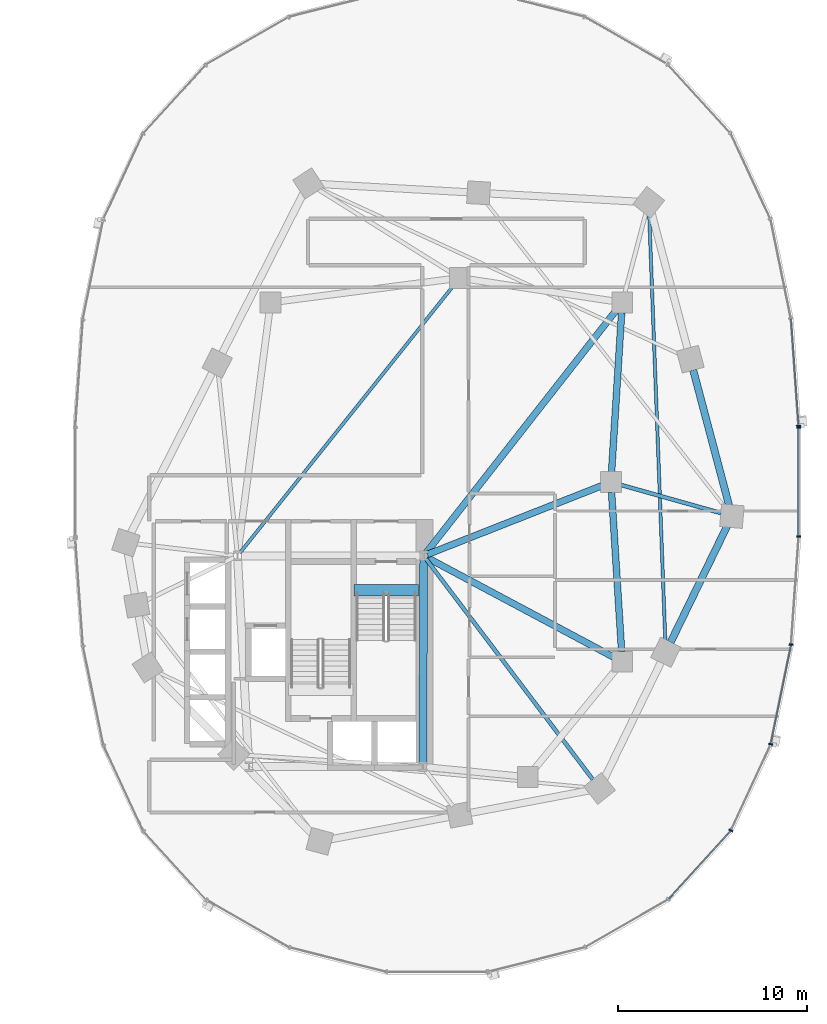
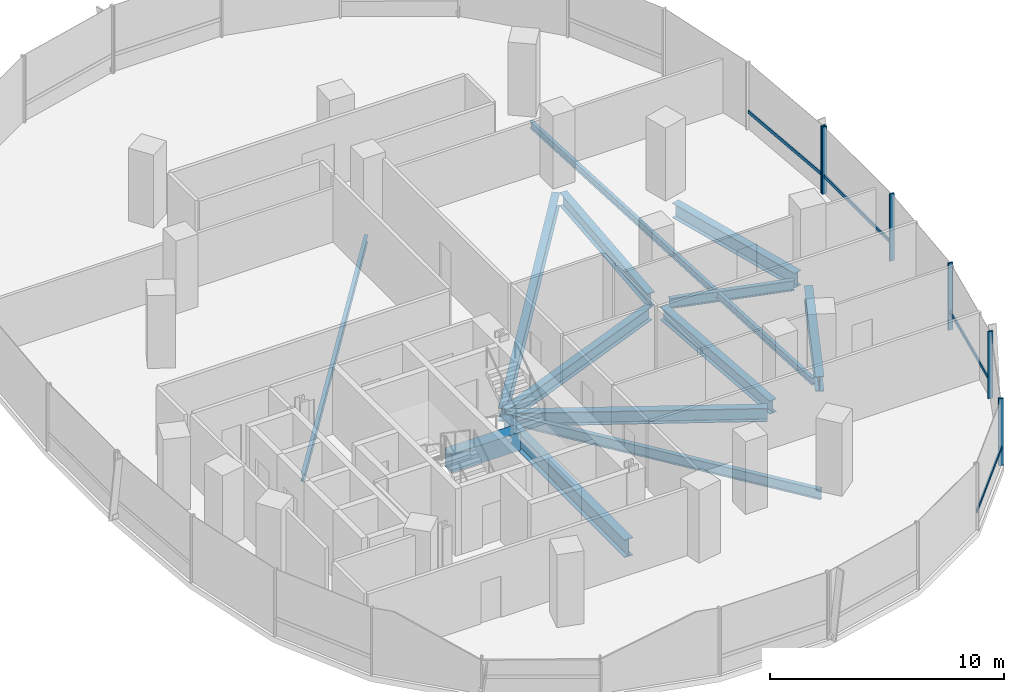
# One storey, part 6 of 21: 13 beams, 10 members, 2 elements without a shape of their own.
"""IFC4 building model written with IfcOpenShell, lengths in metres."""

import ifcopenshell
import ifcopenshell.guid

model = None  # the IFC model being written
_history = None  # IfcOwnerHistory: only IFC2X3 demands one
_inside = {}  # id of a spatial element -> (the spatial element, [elements in it])
_under = {}  # id of a project, library or spatial element -> (it, [spatial elements below it])
_declared = {}  # id of a project -> (the project, [libraries it declares])
_typed = {}  # id of a type object -> (the type object, [elements of that type])
_made_of = {}  # id of a material, layer set ... -> (it, [elements and type objects made of it])


def new_model(schema):
    """Start an empty IFC model of exactly this schema.

    Asked for "IFC4X3", IfcOpenShell would pick the latest addendum, in which some entities
    have other attributes; the version numbers below select the first issue.
    IFC2X3 requires an IfcOwnerHistory on every rooted entity: one is made here for all.
    """
    global model, _history
    if schema == "IFC4X3":
        model = ifcopenshell.file(schema_version=(4, 3, 0, 0))
    else:
        model = ifcopenshell.file(schema=schema)
    _inside.clear()
    _under.clear()
    _declared.clear()
    _typed.clear()
    _made_of.clear()
    _history = None
    if model.schema == "IFC2X3":
        org = make("IfcOrganization", Name="unknown")
        user = make(
            "IfcPersonAndOrganization",
            ThePerson=make("IfcPerson", FamilyName="unknown"),
            TheOrganization=org,
        )
        app = make(
            "IfcApplication",
            ApplicationDeveloper=org,
            Version="unknown",
            ApplicationFullName="unknown",
            ApplicationIdentifier="unknown",
        )
        _history = make(
            "IfcOwnerHistory",
            OwningUser=user,
            OwningApplication=app,
            ChangeAction="ADDED",
            CreationDate=0,
        )
    return model


def make(cls, **values):
    """One entity of the class cls with the attributes given. An attribute that is None is left unset."""
    return model.create_entity(
        cls, **{name: value for name, value in values.items() if value is not None}
    )


def rooted(cls, **values):
    """An entity with a GlobalId (a new one), such as an element, a storey or a relation."""
    return make(cls, GlobalId=ifcopenshell.guid.new(), OwnerHistory=_history, **values)


def si_unit(unit_type, name, prefix=None):
    """IfcSIUnit, for example si_unit("LENGTHUNIT", "METRE", prefix="MILLI")."""
    return make("IfcSIUnit", UnitType=unit_type, Prefix=prefix, Name=name)


def assignment(units):
    """IfcUnitAssignment: the units of a project."""
    return None if units is None else make("IfcUnitAssignment", Units=units)


def point(xyz):
    """IfcCartesianPoint."""
    return None if xyz is None else make("IfcCartesianPoint", Coordinates=xyz)


def direction(xyz):
    """IfcDirection."""
    return None if xyz is None else make("IfcDirection", DirectionRatios=xyz)


def frame(location, z_axis=None, x_axis=None):
    """IfcAxis2Placement3D, a coordinate frame: its origin and axes. An axis left out is left unset."""
    return make(
        "IfcAxis2Placement3D",
        Location=point(location),
        Axis=direction(z_axis),
        RefDirection=direction(x_axis),
    )


def frame_2d(location, x_axis=None):
    """IfcAxis2Placement2D, a coordinate frame in the plane: its origin and x axis."""
    return make(
        "IfcAxis2Placement2D", Location=point(location), RefDirection=direction(x_axis)
    )


def origin():
    """The frame at (0, 0, 0) with its axes left unset."""
    return frame((0.0, 0.0, 0.0))


def origin_2d():
    """The frame at (0, 0) in the plane with its x axis left unset."""
    return frame_2d((0.0, 0.0))


def place(relative_to, where):
    """IfcLocalPlacement: puts the frame where relative to a parent placement (None: the world)."""
    return make(
        "IfcLocalPlacement", PlacementRelTo=relative_to, RelativePlacement=where
    )


def context(
    kind, dimensions, precision=None, world=None, true_north=None, identifier=None
):
    """IfcGeometricRepresentationContext, for example the 3D "Model" context."""
    return make(
        "IfcGeometricRepresentationContext",
        ContextIdentifier=identifier,
        ContextType=kind,
        CoordinateSpaceDimension=dimensions,
        Precision=precision,
        WorldCoordinateSystem=world,
        TrueNorth=true_north,
    )


def subcontext(parent, identifier, kind, view, scale=None):
    """IfcGeometricRepresentationSubContext, for example "Body" below "Model"."""
    return make(
        "IfcGeometricRepresentationSubContext",
        ContextIdentifier=identifier,
        ContextType=kind,
        ParentContext=parent,
        TargetScale=scale,
        TargetView=view,
    )


def project(units=None, contexts=None):
    """IfcProject with its units and contexts."""
    return rooted(
        "IfcProject",
        Name="project",
        RepresentationContexts=contexts,
        UnitsInContext=assignment(units),
    )


def spatial(cls, under=None, at=None, **own):
    """A site, building, storey or space (cls), placed at a placement, below another one or the project."""
    s = rooted(cls, ObjectPlacement=at, **own)
    if under is not None:
        _under.setdefault(under.id(), (under, []))[1].append(s)
    return s


def profile(cls, at=None, kind="AREA", **sizes):
    """A parametric profile (cls). Its sizes go by their IFC names, for example OverallWidth=200.0."""
    return make(cls, ProfileType=kind, Position=at, **sizes)


def rectangle(**sizes):
    """IfcRectangleProfileDef."""
    return profile("IfcRectangleProfileDef", **sizes)


def i_section(**sizes):
    """IfcIShapeProfileDef."""
    return profile("IfcIShapeProfileDef", **sizes)


def extrude(swept, where, along, depth):
    """IfcExtrudedAreaSolid: the profile swept, set in the frame where, extruded along a direction by depth."""
    return make(
        "IfcExtrudedAreaSolid",
        SweptArea=swept,
        Position=where,
        ExtrudedDirection=direction(along),
        Depth=depth,
    )


def shape(context_of_items, identifier, shape_type, items):
    """IfcShapeRepresentation: the items that make up one representation, for example the "Body"."""
    return make(
        "IfcShapeRepresentation",
        ContextOfItems=context_of_items,
        RepresentationIdentifier=identifier,
        RepresentationType=shape_type,
        Items=items,
    )


def material(Name=None, Category=None):
    """IfcMaterial."""
    return make("IfcMaterial", Name=Name, Category=Category)


def material_profile(
    of_material, cross_section, Name=None, Category=None, Priority=None
):
    """IfcMaterialProfile: a cross section and its material."""
    return make(
        "IfcMaterialProfile",
        Name=Name,
        Material=of_material,
        Profile=cross_section,
        Priority=Priority,
        Category=Category,
    )


def profile_set(profiles, Name=None, composite=None):
    """IfcMaterialProfileSet."""
    return make(
        "IfcMaterialProfileSet",
        Name=Name,
        MaterialProfiles=profiles,
        CompositeProfile=composite,
    )


def made_of(thing, what):
    """Note that an element or type object is made of a material, layer set ...; save() writes the relation."""
    if what is not None:
        _made_of.setdefault(what.id(), (what, []))[1].append(thing)
    return thing


def type_object(cls, material=None, **own):
    """A type object (cls), such as IfcWallType, which elements share."""
    return made_of(rooted(cls, **own), material)


def element(
    cls,
    number,
    at=None,
    inside=None,
    cuts=None,
    type_object=None,
    material=None,
    context=None,
    identifier="Body",
    shape_type=None,
    held_by="IfcProductDefinitionShape",
    body=None,
    shapes=None,
    **own,
):
    """One element of the class cls, such as IfcWall. Its Tag is "e" and its number.

    at: its placement. inside: the storey or other place that contains it. cuts: it is an
    opening in that element (IfcRelVoidsElement). A single representation is given by context,
    identifier, shape_type and body (its items); several are given by shapes. held_by: the class
    of the entity that holds the representations. save() writes the other relations.
    """
    e = rooted(cls, Tag="e%d" % number, ObjectPlacement=at, **own)
    if body is not None:
        shapes = [shape(context, identifier, shape_type, body)]
    if shapes is not None:
        e.Representation = make(held_by, Representations=shapes)
    if inside is not None:
        _inside.setdefault(inside.id(), (inside, []))[1].append(e)
    if cuts is not None:
        rooted(
            "IfcRelVoidsElement", RelatingBuildingElement=cuts, RelatedOpeningElement=e
        )
    if type_object is not None:
        _typed.setdefault(type_object.id(), (type_object, []))[1].append(e)
    return made_of(e, material)


def aggregate(whole, parts):
    """IfcRelAggregates: a whole, such as a stair, and the parts it consists of."""
    return rooted("IfcRelAggregates", RelatingObject=whole, RelatedObjects=parts)


def save(model, path):
    """Write the relations noted so far, then the file.

    IfcRelAggregates (storeys below a building ...), IfcRelContainedInSpatialStructure (elements
    in a storey), IfcRelDefinesByType, IfcRelAssociatesMaterial and IfcRelDeclares: one each for
    every whole, place, type object, material and project.
    """
    for whole, parts in _under.values():
        aggregate(whole, parts)
    for where, things in _inside.values():
        rooted(
            "IfcRelContainedInSpatialStructure",
            RelatedElements=things,
            RelatingStructure=where,
        )
    for kind, things in _typed.values():
        rooted("IfcRelDefinesByType", RelatedObjects=things, RelatingType=kind)
    for what, things in _made_of.values():
        rooted("IfcRelAssociatesMaterial", RelatedObjects=things, RelatingMaterial=what)
    for by, libraries in _declared.values():
        rooted("IfcRelDeclares", RelatingContext=by, RelatedDefinitions=libraries)
    model.write(path)


model = new_model("IFC4")

# Units and contexts
model_context = context("Model", 3, precision=1e-05, world=origin(), true_north=direction((0.0, 1.0)))
body_context = subcontext(model_context, "Body", "Model", "MODEL_VIEW")
ifc_project = project(units=[si_unit("LENGTHUNIT", "METRE"), si_unit("AREAUNIT", "SQUARE_METRE"), si_unit("VOLUMEUNIT", "CUBIC_METRE"), si_unit("PLANEANGLEUNIT", "RADIAN"), si_unit("MASSUNIT", "GRAM", prefix="KILO"), si_unit("THERMODYNAMICTEMPERATUREUNIT", "KELVIN"), si_unit("POWERUNIT", "WATT")], contexts=[model_context])

# Site, building, storey
site_placement = place(None, origin())
site = spatial("IfcSite", under=ifc_project, at=site_placement, CompositionType="ELEMENT")
building_placement = place(site_placement, origin())
building = spatial("IfcBuilding", under=site, at=building_placement, Name="Cundina Bronze Exchange", CompositionType="ELEMENT")
storey_placement = place(building_placement, frame((0.0, 0.0, 54.39990234375)))
storey = spatial("IfcBuildingStorey", under=building, at=storey_placement, Name="L13", CompositionType="ELEMENT", Elevation=54.39990234375)

# Beams
ifc_material_1 = material(Name="Concrete C60/75", Category="concrete")
ifc_material_profile_1 = material_profile(ifc_material_1, rectangle(XDim=0.60009765625, YDim=0.949951171875, at=origin_2d()), Name="RC600X950", Category="concrete")
ifc_profile_set_1 = profile_set([ifc_material_profile_1], Name="Concrete C60/75")
beam_type_1 = type_object("IfcBeamType", Name="BM-COUP-RC950", PredefinedType="LINTEL", material=ifc_profile_set_1)
beam_1_placement = place(storey_placement, frame((27.6201171875, -5.719970703125, -0.474853515625), z_axis=(1.0, 0.0, 0.0), x_axis=(0.0, 1.0, 0.0)))
element("IfcBeam", 1, at=beam_1_placement, inside=storey, type_object=beam_type_1, Name="L13 Stair E1 Landing Header Beam", PredefinedType="LINTEL", context=body_context, shape_type="SweptSolid", body=[
    extrude(rectangle(XDim=0.60009765625, YDim=0.949951171875, at=origin_2d()), origin(), (0.0, 0.0, 1.0), 3.39990234375),
])
ifc_material_2 = material(Name="Steel ASTM A992 Grade 50", Category="steel")
ifc_material_profile_2 = material_profile(ifc_material_2, i_section(OverallWidth=0.2099609375, OverallDepth=0.532958984375, WebThickness=0.01025390625, FlangeThickness=0.015625, FilletRadius=0.013916015625, at=origin_2d()), Name="W21X62", Category="steel")
ifc_profile_set_2 = profile_set([ifc_material_profile_2], Name="Steel ASTM A992 Grade 50")
beam_type_2 = type_object("IfcBeamType", Name="BM-FLR-W21B", PredefinedType="BEAM", material=ifc_profile_set_2)
beam_2_placement = place(storey_placement, frame((31.423095703125, -4.062744140625, -0.56640625), z_axis=(0.603106461849, -0.797660702101, 0.0), x_axis=(0.797660702101, 0.603106461849, 0.0)))
element("IfcBeam", 2, at=beam_2_placement, inside=storey, type_object=beam_type_2, Name="L13 Leg E Chordal Floor Beam 06", PredefinedType="BEAM", context=body_context, shape_type="SweptSolid", body=[
    extrude(i_section(OverallWidth=0.2099609375, OverallDepth=0.532958984375, WebThickness=0.01025390625, FlangeThickness=0.015625, FilletRadius=0.013916015625, at=origin_2d()), origin(), (0.0, 0.0, 1.0), 14.6279296875),
])
beam_3_placement = place(storey_placement, frame((41.718017578125, -0.145751953125, -0.56640625), z_axis=(0.962650219971, -0.270748137554, 0.0), x_axis=(0.270748137554, 0.962650219971, 0.0)))
element("IfcBeam", 3, at=beam_3_placement, inside=storey, type_object=beam_type_2, Name="L13 Leg E Chordal Floor Beam 08", PredefinedType="BEAM", context=body_context, shape_type="SweptSolid", body=[
    extrude(i_section(OverallWidth=0.2099609375, OverallDepth=0.532958984375, WebThickness=0.01025390625, FlangeThickness=0.015625, FilletRadius=0.013916015625, at=origin_2d()), origin(), (0.0, 0.0, 1.0), 5.522216796875),
])
ifc_material_profile_3 = material_profile(ifc_material_2, i_section(OverallWidth=0.172119140625, OverallDepth=0.35791015625, WebThickness=0.0078125, FlangeThickness=0.01318359375, FilletRadius=0.010009765625, at=origin_2d()), Name="W14X38", Category="steel")
ifc_profile_set_3 = profile_set([ifc_material_profile_3], Name="Steel ASTM A992 Grade 50")
beam_type_3 = type_object("IfcBeamType", Name="BM-JST-W14", PredefinedType="JOIST", material=ifc_profile_set_3)
beam_4_placement = place(storey_placement, frame((21.577392578125, -3.740478515625, -0.47900390625), z_axis=(0.62436887964, 0.781129632095, 0.0), x_axis=(-0.781129632095, 0.62436887964, 0.0)))
element("IfcBeam", 4, at=beam_4_placement, inside=storey, type_object=beam_type_3, Name="L13 E Interior Core-to-Ring Joist 2", PredefinedType="JOIST", context=body_context, shape_type="SweptSolid", body=[
    extrude(i_section(OverallWidth=0.172119140625, OverallDepth=0.35791015625, WebThickness=0.0078125, FlangeThickness=0.01318359375, FilletRadius=0.010009765625, at=origin_2d()), origin(), (0.0, 0.0, 1.0), 18.076904296875),
])
beam_5_placement = place(storey_placement, frame((44.077880859375, -8.412353515625, -0.47900390625), z_axis=(-0.037794949147, 0.999285515666, 0.0), x_axis=(-0.999285515666, -0.037794949147, 0.0)))
element("IfcBeam", 5, at=beam_5_placement, inside=storey, type_object=beam_type_3, Name="L13 Leg E Lobe Floor Joist 07-10", PredefinedType="JOIST", context=body_context, shape_type="SweptSolid", body=[
    extrude(i_section(OverallWidth=0.172119140625, OverallDepth=0.35791015625, WebThickness=0.0078125, FlangeThickness=0.01318359375, FilletRadius=0.010009765625, at=origin_2d()), origin(), (0.0, 0.0, 1.0), 22.640869140625),
])
ifc_material_profile_4 = material_profile(ifc_material_2, i_section(OverallWidth=0.35498046875, OverallDepth=0.695068359375, WebThickness=0.015380859375, FlangeThickness=0.02490234375, FilletRadius=0.01806640625, at=origin_2d()), Name="W27X146", Category="steel")
ifc_profile_set_4 = profile_set([ifc_material_profile_4], Name="Steel ASTM A992 Grade 50")
beam_type_4 = type_object("IfcBeamType", Name="BM-RING-W27", PredefinedType="USERDEFINED", material=ifc_profile_set_4)
for number, where, z_axis, x_axis, name in (
    (6, (41.76611328125, -8.963134765625, -0.6474609375), (-0.06303715519, 0.998011180832, 0.0), (-0.998011180832, -0.06303715519, 0.0), "L13 E Inner Structural Ring Girder 03"),
    (7, (41.23388671875, 0.536865234375, -0.6474609375), (0.06303715519, 0.998011180832, 0.0), (-0.998011180832, 0.06303715519, 0.0), "L13 E Inner Structural Ring Girder 04"),
):
    element("IfcBeam", number, at=place(storey_placement, frame(where, z_axis=z_axis, x_axis=x_axis)), inside=storey, type_object=beam_type_4, Name=name, ObjectType="GIRDER", PredefinedType="USERDEFINED", context=body_context, shape_type="SweptSolid", body=[
        extrude(i_section(OverallWidth=0.35498046875, OverallDepth=0.695068359375, WebThickness=0.015380859375, FlangeThickness=0.02490234375, FilletRadius=0.01806640625, at=origin_2d()), origin(), (0.0, 0.0, 1.0), 8.443115234375),
    ])
beam_6_placement = place(storey_placement, frame((31.48974609375, -3.8251953125, -0.6474609375), z_axis=(0.930413235418, 0.366512225388, 0.0), x_axis=(-0.366512225388, 0.930413235418, 0.0)))
element("IfcBeam", 8, at=beam_6_placement, inside=storey, type_object=beam_type_4, Name="L13 E Core-to-Waist Tie Beam 1", ObjectType="GIRDER", PredefinedType="USERDEFINED", context=body_context, shape_type="SweptSolid", body=[
    extrude(i_section(OverallWidth=0.35498046875, OverallDepth=0.695068359375, WebThickness=0.015380859375, FlangeThickness=0.02490234375, FilletRadius=0.01806640625, at=origin_2d()), origin(), (0.0, 0.0, 1.0), 9.8984375),
])
beam_7_placement = place(storey_placement, frame((31.47998046875, -3.99609375, -0.6474609375), z_axis=(0.882354758239, -0.470584828286, 0.0), x_axis=(0.470584828286, 0.882354758239, 0.0)))
element("IfcBeam", 9, at=beam_7_placement, inside=storey, type_object=beam_type_4, Name="L13 E Core-to-Waist Tie Beam 2", ObjectType="GIRDER", PredefinedType="USERDEFINED", context=body_context, shape_type="SweptSolid", body=[
    extrude(i_section(OverallWidth=0.35498046875, OverallDepth=0.695068359375, WebThickness=0.015380859375, FlangeThickness=0.02490234375, FilletRadius=0.01806640625, at=origin_2d()), origin(), (0.0, 0.0, 1.0), 11.157958984375),
])
beam_8_placement = place(storey_placement, frame((31.42578125, -3.739501953125, -0.6474609375), z_axis=(0.616789275748, 0.787128318206, 0.0), x_axis=(-0.787128318206, 0.616789275748, 0.0)))
element("IfcBeam", 10, at=beam_8_placement, inside=storey, type_object=beam_type_4, Name="L13 E Core-to-Waist Tie Beam 3", ObjectType="GIRDER", PredefinedType="USERDEFINED", context=body_context, shape_type="SweptSolid", body=[
    extrude(i_section(OverallWidth=0.35498046875, OverallDepth=0.695068359375, WebThickness=0.015380859375, FlangeThickness=0.02490234375, FilletRadius=0.01806640625, at=origin_2d()), origin(), (0.0, 0.0, 1.0), 16.281982421875),
])
ifc_material_profile_5 = material_profile(ifc_material_2, i_section(OverallWidth=0.381103515625, OverallDepth=0.77294921875, WebThickness=0.0166015625, FlangeThickness=0.027099609375, FilletRadius=0.01904296875, at=origin_2d()), Name="W30X173", Category="steel")
ifc_profile_set_5 = profile_set([ifc_material_profile_5], Name="Steel ASTM A992 Grade 50")
beam_type_5 = type_object("IfcBeamType", Name="BM-RING-W30", PredefinedType="USERDEFINED", material=ifc_profile_set_5)
beam_9_placement = place(storey_placement, frame((44.357177734375, -8.47119140625, -0.6865234375), z_axis=(0.437190698904, 0.899368830231, 0.0), x_axis=(-0.899368830231, 0.437190698904, 0.0)))
element("IfcBeam", 11, at=beam_9_placement, inside=storey, type_object=beam_type_5, Name="L13 E Perimeter Ring Girder 07", ObjectType="GIRDER", PredefinedType="USERDEFINED", context=body_context, shape_type="SweptSolid", body=[
    extrude(i_section(OverallWidth=0.381103515625, OverallDepth=0.77294921875, WebThickness=0.0166015625, FlangeThickness=0.027099609375, FilletRadius=0.01904296875, at=origin_2d()), origin(), (0.0, 0.0, 1.0), 6.82958984375),
])
beam_10_placement = place(storey_placement, frame((47.44921875, -1.231689453125, -0.6865234375), z_axis=(-0.256177785604, 0.966629682021, 0.0), x_axis=(-0.966629682021, -0.256177785604, 0.0)))
element("IfcBeam", 12, at=beam_10_placement, inside=storey, type_object=beam_type_5, Name="L13 E Perimeter Ring Girder 08", ObjectType="GIRDER", PredefinedType="USERDEFINED", context=body_context, shape_type="SweptSolid", body=[
    extrude(i_section(OverallWidth=0.381103515625, OverallDepth=0.77294921875, WebThickness=0.0166015625, FlangeThickness=0.027099609375, FilletRadius=0.01904296875, at=origin_2d()), origin(), (0.0, 0.0, 1.0), 7.41064453125),
])
ifc_material_profile_6 = material_profile(ifc_material_2, i_section(OverallWidth=0.41796875, OverallDepth=0.927001953125, WebThickness=0.019287109375, FlangeThickness=0.031982421875, FilletRadius=0.02392578125, at=origin_2d()), Name="W36X231", Category="steel")
ifc_profile_set_6 = profile_set([ifc_material_profile_6], Name="Steel ASTM A992 Grade 50")
beam_type_6 = type_object("IfcBeamType", Name="BM-WRN-W36B", PredefinedType="USERDEFINED", material=ifc_profile_set_6)
beam_11_placement = place(storey_placement, frame((31.2509765625, -14.845947265625, -0.763427734375), z_axis=(0.004477329608, 0.99998997671, 0.0), x_axis=(-0.99998997671, 0.004477329608, 0.0)))
element("IfcBeam", 13, at=beam_11_placement, inside=storey, type_object=beam_type_6, Name="L13 E Core Perimeter Tie Girder 4", ObjectType="GIRDER", PredefinedType="USERDEFINED", context=body_context, shape_type="SweptSolid", body=[
    extrude(i_section(OverallWidth=0.41796875, OverallDepth=0.927001953125, WebThickness=0.019287109375, FlangeThickness=0.031982421875, FilletRadius=0.02392578125, at=origin_2d()), origin(), (0.0, 0.0, 1.0), 10.741943359375),
])

# Curtain wall, member
ifc_material_3 = material(Name="Anodised Bronze Aluminium 6063-T6", Category="aluminium")
curtain_wall_type = type_object("IfcCurtainWallType", Name="CWS-TRD-LOW", PredefinedType="NOTDEFINED", material=ifc_material_3)
curtain_wall_1_placement = place(storey_placement, origin())
curtain_wall_1 = element("IfcCurtainWall", 14, at=curtain_wall_1_placement, inside=storey, type_object=curtain_wall_type, Name="L13 CW-02 Curtain Wall Run CWR-L13-E1", PredefinedType="NOTDEFINED")
ifc_material_profile_7 = material_profile(ifc_material_3, rectangle(XDim=0.074951171875, YDim=0.219970703125, at=origin_2d()), Name="AL75X220", Category="aluminium")
ifc_profile_set_7 = profile_set([ifc_material_profile_7], Name="Anodised Bronze Aluminium 6063-T6")
member_type_1 = type_object("IfcMemberType", Name="CWM-MUL-220", PredefinedType="MULLION", material=ifc_profile_set_7)
member_1_placement = place(storey_placement, frame((51.12451171875, 2.976318359375, 0.0), z_axis=(0.0, 0.0, 1.0), x_axis=(-0.070278787473, 0.997527389113, 0.0)))
member_1 = element("IfcMember", 15, at=member_1_placement, type_object=member_type_1, Name="CW-02 Mullion 1", PredefinedType="MULLION", context=body_context, shape_type="SweptSolid", body=[
    extrude(rectangle(XDim=0.074951171875, YDim=0.219970703125, at=origin_2d()), origin(), (0.0, 0.0, 1.0), 3.5),
])

# Curtain wall, members
curtain_wall_2_placement = place(storey_placement, origin())
curtain_wall_2 = element("IfcCurtainWall", 16, at=curtain_wall_2_placement, inside=storey, type_object=curtain_wall_type, Name="L13 CW-02 Curtain Wall Run CWR-L13-E4", PredefinedType="NOTDEFINED")
member_2_placement = place(storey_placement, frame((47.544189453125, -18.423583984375, 0.0), z_axis=(0.0, 0.0, 1.0), x_axis=(0.42087749791, 0.907117485088, 0.0)))
member_2 = element("IfcMember", 17, at=member_2_placement, type_object=member_type_1, Name="CW-02 Mullion 4", PredefinedType="MULLION", context=body_context, shape_type="SweptSolid", body=[
    extrude(rectangle(XDim=0.074951171875, YDim=0.219970703125, at=origin_2d()), origin(), (0.0, 0.0, 1.0), 3.5),
])
member_3_placement = place(storey_placement, frame((49.651123046875, -13.861328125, 0.0), z_axis=(0.0, 0.0, 1.0), x_axis=(0.201419845156, 0.979505000486, 0.0)))
member_3 = element("IfcMember", 18, at=member_3_placement, type_object=member_type_1, Name="CW-02 Mullion 5", PredefinedType="MULLION", context=body_context, shape_type="SweptSolid", body=[
    extrude(rectangle(XDim=0.074951171875, YDim=0.219970703125, at=origin_2d()), origin(), (0.0, 0.0, 1.0), 3.5),
])
member_4_placement = place(storey_placement, frame((50.72900390625, -8.591552734375, 0.0), z_axis=(0.0, 0.0, 1.0), x_axis=(0.070278787473, 0.997527389113, 0.0)))
member_4 = element("IfcMember", 19, at=member_4_placement, type_object=member_type_1, Name="CW-02 Mullion 6", PredefinedType="MULLION", context=body_context, shape_type="SweptSolid", body=[
    extrude(rectangle(XDim=0.074951171875, YDim=0.219970703125, at=origin_2d()), origin(), (0.0, 0.0, 1.0), 3.5),
])
member_5_placement = place(storey_placement, frame((51.1279296875, -2.880615234375, 0.0), z_axis=(0.0, 0.0, 1.0), x_axis=(0.0, 1.0, 0.0)))
member_5 = element("IfcMember", 20, at=member_5_placement, type_object=member_type_1, Name="CW-02 Mullion 7", PredefinedType="MULLION", context=body_context, shape_type="SweptSolid", body=[
    extrude(rectangle(XDim=0.074951171875, YDim=0.219970703125, at=origin_2d()), origin(), (0.0, 0.0, 1.0), 3.5),
])
member_6_placement = place(storey_placement, frame((51.1279296875, 2.880615234375, 0.0), z_axis=(0.0, 0.0, 1.0), x_axis=(0.0, 1.0, 0.0)))
member_6 = element("IfcMember", 21, at=member_6_placement, type_object=member_type_1, Name="CW-02 End Mullion", PredefinedType="MULLION", context=body_context, shape_type="SweptSolid", body=[
    extrude(rectangle(XDim=0.074951171875, YDim=0.219970703125, at=origin_2d()), origin(), (0.0, 0.0, 1.0), 3.5),
])

# Member
ifc_material_profile_8 = material_profile(ifc_material_3, rectangle(XDim=0.070068359375, YDim=0.179931640625, at=origin_2d()), Name="AL70X180", Category="aluminium")
ifc_profile_set_8 = profile_set([ifc_material_profile_8], Name="Anodised Bronze Aluminium 6063-T6")
member_type_2 = type_object("IfcMemberType", Name="CWM-TRN-180", PredefinedType="USERDEFINED", material=ifc_profile_set_8)
member_7_placement = place(storey_placement, frame((51.12158203125, 3.017333984375, 0.920166015625), z_axis=(-0.070260714471, 0.997528662246, 0.0), x_axis=(-0.997528662246, -0.070260714471, 0.0)))
member_7 = element("IfcMember", 22, at=member_7_placement, type_object=member_type_2, Name="CW-02 Spandrel Transom 1", ObjectType="TRANSOM", PredefinedType="USERDEFINED", context=body_context, shape_type="SweptSolid", body=[
    extrude(rectangle(XDim=0.070068359375, YDim=0.179931640625, at=origin_2d()), origin(), (0.0, 0.0, 1.0), 5.629150390625),
])

aggregate(curtain_wall_1, [member_1, member_7])

member_8_placement = place(storey_placement, frame((44.26708984375, -22.027099609375, 0.920166015625), z_axis=(0.674302794847, 0.738454968743, 0.0), x_axis=(-0.738454968743, 0.674302794847, 0.0)))
member_8 = element("IfcMember", 23, at=member_8_placement, type_object=member_type_2, Name="CW-02 Spandrel Transom 3", ObjectType="TRANSOM", PredefinedType="USERDEFINED", context=body_context, shape_type="SweptSolid", body=[
    extrude(rectangle(XDim=0.070068359375, YDim=0.179931640625, at=origin_2d()), origin(), (0.0, 0.0, 1.0), 4.848388671875),
])

member_9_placement = place(storey_placement, frame((49.659423828125, -13.821044921875, 0.920166015625), z_axis=(0.201427712708, 0.979503382615, 0.0), x_axis=(-0.979503382615, 0.201427712708, 0.0)))
member_9 = element("IfcMember", 24, at=member_9_placement, type_object=member_type_2, Name="CW-02 Spandrel Transom 5", ObjectType="TRANSOM", PredefinedType="USERDEFINED", context=body_context, shape_type="SweptSolid", body=[
    extrude(rectangle(XDim=0.070068359375, YDim=0.179931640625, at=origin_2d()), origin(), (0.0, 0.0, 1.0), 5.291748046875),
])

member_10_placement = place(storey_placement, frame((51.1279296875, -2.839111328125, 0.920166015625), z_axis=(0.0, 1.0, 0.0), x_axis=(-1.0, 0.0, 0.0)))
member_10 = element("IfcMember", 25, at=member_10_placement, type_object=member_type_2, Name="CW-02 Spandrel Transom 7", ObjectType="TRANSOM", PredefinedType="USERDEFINED", context=body_context, shape_type="SweptSolid", body=[
    extrude(rectangle(XDim=0.070068359375, YDim=0.179931640625, at=origin_2d()), origin(), (0.0, 0.0, 1.0), 5.67822265625),
])

aggregate(curtain_wall_2, [member_8, member_2, member_3, member_9, member_4, member_5, member_6, member_10])

save(model, "model.ifc")
